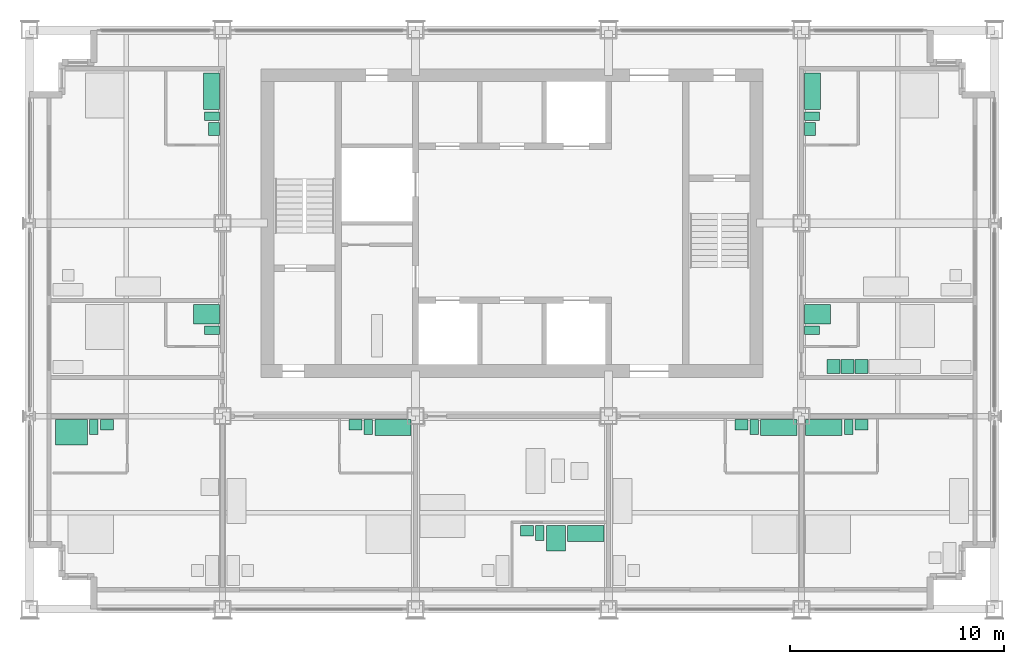
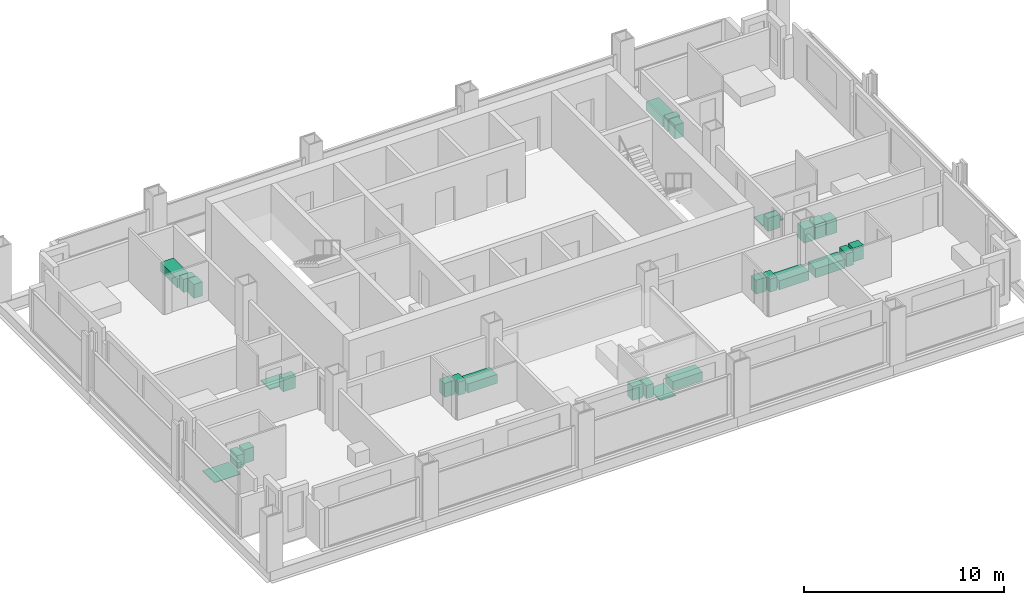
# One storey, part 12 of 13: 26 sanitary terminals, 3 electric appliances.
"""IFC4 building model written with IfcOpenShell, lengths in metres."""

from ifc_helpers import new_model, si_unit, direction, frame, origin, origin_2d, place, context, subcontext, project, spatial, rectangle, extrude, element, save


model = new_model("IFC4")

# Units and contexts
model_context = context("Model", 3, precision=1e-05, world=origin(), true_north=direction((0.0, 1.0)))
body_context = subcontext(model_context, "Body", "Model", "MODEL_VIEW")
ifc_project = project(units=[si_unit("LENGTHUNIT", "METRE"), si_unit("AREAUNIT", "SQUARE_METRE"), si_unit("VOLUMEUNIT", "CUBIC_METRE"), si_unit("PLANEANGLEUNIT", "RADIAN"), si_unit("MASSUNIT", "GRAM", prefix="KILO")], contexts=[model_context])

# Site, building, storey
site_placement = place(None, origin())
site = spatial("IfcSite", under=ifc_project, at=site_placement, CompositionType="ELEMENT")
building_placement = place(site_placement, origin())
building = spatial("IfcBuilding", under=site, at=building_placement, Name="Loomwork Tower", CompositionType="ELEMENT")
storey_placement = place(building_placement, frame((0.0, 0.0, 177.39990234375)))
storey = spatial("IfcBuildingStorey", under=building, at=storey_placement, Name="L48", CompositionType="ELEMENT", Elevation=177.39990234375)

# Sanitary terminals
sanitary_terminal_1_placement = place(storey_placement, frame((1.949951171875, 8.25, 0.0), z_axis=(0.0, 0.0, 1.0), x_axis=(1.0, 0.0, 0.0)))
element("IfcSanitaryTerminal", 1, at=sanitary_terminal_1_placement, inside=storey, Name="Roll-in shower floor L48", PredefinedType="SHOWER", context=body_context, shape_type="SweptSolid", body=[
    extrude(rectangle(XDim=1.5, YDim=1.199951171875, at=origin_2d()), origin(), (0.0, 0.0, 1.0), 0.030029296875),
])
sanitary_terminal_2_placement = place(storey_placement, frame((3.0, 8.5, 0.0), z_axis=(0.0, 0.0, 1.0), x_axis=(1.0, 0.0, 0.0)))
element("IfcSanitaryTerminal", 2, at=sanitary_terminal_2_placement, inside=storey, Name="WC L48", PredefinedType="TOILETPAN", context=body_context, shape_type="SweptSolid", body=[
    extrude(rectangle(XDim=0.39990234375, YDim=0.699951171875, at=origin_2d()), origin(), (0.0, 0.0, 1.0), 0.800048828125),
])
sanitary_terminal_3_placement = place(storey_placement, frame((3.60009765625, 8.60009765625, 0.0), z_axis=(0.0, 0.0, 1.0), x_axis=(1.0, 0.0, 0.0)))
element("IfcSanitaryTerminal", 3, at=sanitary_terminal_3_placement, inside=storey, Name="Basin vanity L48", PredefinedType="WASHHANDBASIN", context=body_context, shape_type="SweptSolid", body=[
    extrude(rectangle(XDim=0.60009765625, YDim=0.5, at=origin_2d()), origin(), (0.0, 0.0, 1.0), 0.85009765625),
])
sanitary_terminal_4_placement = place(storey_placement, frame((16.949951171875, 8.47509765625, 0.0), z_axis=(0.0, 0.0, 1.0), x_axis=(1.0, 0.0, 0.0)))
element("IfcSanitaryTerminal", 4, at=sanitary_terminal_4_placement, inside=storey, Name="Bath L48", PredefinedType="BATH", context=body_context, shape_type="SweptSolid", body=[
    extrude(rectangle(XDim=1.699951171875, YDim=0.75, at=origin_2d()), origin(), (0.0, 0.0, 1.0), 0.550048828125),
])
sanitary_terminal_5_placement = place(storey_placement, frame((15.800048828125, 8.5, 0.0), z_axis=(0.0, 0.0, 1.0), x_axis=(1.0, 0.0, 0.0)))
element("IfcSanitaryTerminal", 5, at=sanitary_terminal_5_placement, inside=storey, Name="WC L48", PredefinedType="TOILETPAN", context=body_context, shape_type="SweptSolid", body=[
    extrude(rectangle(XDim=0.39990234375, YDim=0.699951171875, at=origin_2d()), origin(), (0.0, 0.0, 1.0), 0.800048828125),
])
sanitary_terminal_6_placement = place(storey_placement, frame((15.199951171875, 8.60009765625, 0.0), z_axis=(0.0, 0.0, 1.0), x_axis=(1.0, 0.0, 0.0)))
element("IfcSanitaryTerminal", 6, at=sanitary_terminal_6_placement, inside=storey, Name="Basin vanity L48", PredefinedType="WASHHANDBASIN", context=body_context, shape_type="SweptSolid", body=[
    extrude(rectangle(XDim=0.60009765625, YDim=0.5, at=origin_2d()), origin(), (0.0, 0.0, 1.0), 0.85009765625),
])
sanitary_terminal_7_placement = place(storey_placement, frame((25.949951171875, 3.52490234375, 0.0), z_axis=(0.0, 0.0, 1.0), x_axis=(1.0, 0.0, 0.0)))
element("IfcSanitaryTerminal", 7, at=sanitary_terminal_7_placement, inside=storey, Name="Bath L48", PredefinedType="BATH", context=body_context, shape_type="SweptSolid", body=[
    extrude(rectangle(XDim=1.699951171875, YDim=0.75, at=origin_2d()), origin(), (0.0, 0.0, 1.0), 0.550048828125),
])
sanitary_terminal_8_placement = place(storey_placement, frame((24.550048828125, 3.300048828125, 0.0), z_axis=(0.0, 0.0, 1.0), x_axis=(1.0, 0.0, 0.0)))
element("IfcSanitaryTerminal", 8, at=sanitary_terminal_8_placement, inside=storey, Name="Shower tray L48", PredefinedType="SHOWER", context=body_context, shape_type="SweptSolid", body=[
    extrude(rectangle(XDim=0.89990234375, YDim=1.199951171875, at=origin_2d()), origin(), (0.0, 0.0, 1.0), 0.050048828125),
])
sanitary_terminal_9_placement = place(storey_placement, frame((23.800048828125, 3.550048828125, 0.0), z_axis=(0.0, 0.0, 1.0), x_axis=(1.0, 0.0, 0.0)))
element("IfcSanitaryTerminal", 9, at=sanitary_terminal_9_placement, inside=storey, Name="WC L48", PredefinedType="TOILETPAN", context=body_context, shape_type="SweptSolid", body=[
    extrude(rectangle(XDim=0.39990234375, YDim=0.699951171875, at=origin_2d()), origin(), (0.0, 0.0, 1.0), 0.800048828125),
])
sanitary_terminal_10_placement = place(storey_placement, frame((23.199951171875, 3.64990234375, 0.0), z_axis=(0.0, 0.0, 1.0), x_axis=(1.0, 0.0, 0.0)))
element("IfcSanitaryTerminal", 10, at=sanitary_terminal_10_placement, inside=storey, Name="Basin vanity L48", PredefinedType="WASHHANDBASIN", context=body_context, shape_type="SweptSolid", body=[
    extrude(rectangle(XDim=0.60009765625, YDim=0.5, at=origin_2d()), origin(), (0.0, 0.0, 1.0), 0.85009765625),
])
sanitary_terminal_11_placement = place(storey_placement, frame((34.949951171875, 8.47509765625, 0.0), z_axis=(0.0, 0.0, 1.0), x_axis=(1.0, 0.0, 0.0)))
element("IfcSanitaryTerminal", 11, at=sanitary_terminal_11_placement, inside=storey, Name="Bath L48", PredefinedType="BATH", context=body_context, shape_type="SweptSolid", body=[
    extrude(rectangle(XDim=1.699951171875, YDim=0.75, at=origin_2d()), origin(), (0.0, 0.0, 1.0), 0.550048828125),
])
sanitary_terminal_12_placement = place(storey_placement, frame((33.800048828125, 8.5, 0.0), z_axis=(0.0, 0.0, 1.0), x_axis=(1.0, 0.0, 0.0)))
element("IfcSanitaryTerminal", 12, at=sanitary_terminal_12_placement, inside=storey, Name="WC L48", PredefinedType="TOILETPAN", context=body_context, shape_type="SweptSolid", body=[
    extrude(rectangle(XDim=0.39990234375, YDim=0.699951171875, at=origin_2d()), origin(), (0.0, 0.0, 1.0), 0.800048828125),
])
sanitary_terminal_13_placement = place(storey_placement, frame((33.199951171875, 8.60009765625, 0.0), z_axis=(0.0, 0.0, 1.0), x_axis=(1.0, 0.0, 0.0)))
element("IfcSanitaryTerminal", 13, at=sanitary_terminal_13_placement, inside=storey, Name="Basin vanity L48", PredefinedType="WASHHANDBASIN", context=body_context, shape_type="SweptSolid", body=[
    extrude(rectangle(XDim=0.60009765625, YDim=0.5, at=origin_2d()), origin(), (0.0, 0.0, 1.0), 0.85009765625),
])
sanitary_terminal_14_placement = place(storey_placement, frame((37.050048828125, 8.47509765625, 0.0), z_axis=(0.0, 0.0, 1.0), x_axis=(1.0, 0.0, 0.0)))
element("IfcSanitaryTerminal", 14, at=sanitary_terminal_14_placement, inside=storey, Name="Bath L48", PredefinedType="BATH", context=body_context, shape_type="SweptSolid", body=[
    extrude(rectangle(XDim=1.699951171875, YDim=0.75, at=origin_2d()), origin(), (0.0, 0.0, 1.0), 0.550048828125),
])
sanitary_terminal_15_placement = place(storey_placement, frame((38.199951171875, 8.5, 0.0), z_axis=(0.0, 0.0, 1.0), x_axis=(1.0, 0.0, 0.0)))
element("IfcSanitaryTerminal", 15, at=sanitary_terminal_15_placement, inside=storey, Name="WC L48", PredefinedType="TOILETPAN", context=body_context, shape_type="SweptSolid", body=[
    extrude(rectangle(XDim=0.39990234375, YDim=0.699951171875, at=origin_2d()), origin(), (0.0, 0.0, 1.0), 0.800048828125),
])
sanitary_terminal_16_placement = place(storey_placement, frame((38.800048828125, 8.60009765625, 0.0), z_axis=(0.0, 0.0, 1.0), x_axis=(1.0, 0.0, 0.0)))
element("IfcSanitaryTerminal", 16, at=sanitary_terminal_16_placement, inside=storey, Name="Basin vanity L48", PredefinedType="WASHHANDBASIN", context=body_context, shape_type="SweptSolid", body=[
    extrude(rectangle(XDim=0.60009765625, YDim=0.5, at=origin_2d()), origin(), (0.0, 0.0, 1.0), 0.85009765625),
])
sanitary_terminal_17_placement = place(storey_placement, frame((8.25, 13.75, 0.0), z_axis=(0.0, 0.0, 1.0), x_axis=(1.0, 0.0, 0.0)))
element("IfcSanitaryTerminal", 17, at=sanitary_terminal_17_placement, inside=storey, Name="Shower tray L48", PredefinedType="SHOWER", context=body_context, shape_type="SweptSolid", body=[
    extrude(rectangle(XDim=1.199951171875, YDim=0.89990234375, at=origin_2d()), origin(), (0.0, 0.0, 1.0), 0.050048828125),
])
sanitary_terminal_18_placement = place(storey_placement, frame((8.5, 13.0, 0.0), z_axis=(0.0, 0.0, 1.0), x_axis=(1.0, 0.0, 0.0)))
element("IfcSanitaryTerminal", 18, at=sanitary_terminal_18_placement, inside=storey, Name="WC L48", PredefinedType="TOILETPAN", context=body_context, shape_type="SweptSolid", body=[
    extrude(rectangle(XDim=0.699951171875, YDim=0.39990234375, at=origin_2d()), origin(), (0.0, 0.0, 1.0), 0.800048828125),
])
sanitary_terminal_19_placement = place(storey_placement, frame((8.47509765625, 24.14990234375, 0.0), z_axis=(0.0, 0.0, 1.0), x_axis=(1.0, 0.0, 0.0)))
element("IfcSanitaryTerminal", 19, at=sanitary_terminal_19_placement, inside=storey, Name="Bath L48", PredefinedType="BATH", context=body_context, shape_type="SweptSolid", body=[
    extrude(rectangle(XDim=0.75, YDim=1.699951171875, at=origin_2d()), origin(), (0.0, 0.0, 1.0), 0.550048828125),
])
sanitary_terminal_20_placement = place(storey_placement, frame((8.5, 23.0, 0.0), z_axis=(0.0, 0.0, 1.0), x_axis=(1.0, 0.0, 0.0)))
element("IfcSanitaryTerminal", 20, at=sanitary_terminal_20_placement, inside=storey, Name="WC L48", PredefinedType="TOILETPAN", context=body_context, shape_type="SweptSolid", body=[
    extrude(rectangle(XDim=0.699951171875, YDim=0.39990234375, at=origin_2d()), origin(), (0.0, 0.0, 1.0), 0.800048828125),
])
sanitary_terminal_21_placement = place(storey_placement, frame((8.60009765625, 22.39990234375, 0.0), z_axis=(0.0, 0.0, 1.0), x_axis=(1.0, 0.0, 0.0)))
element("IfcSanitaryTerminal", 21, at=sanitary_terminal_21_placement, inside=storey, Name="Basin vanity L48", PredefinedType="WASHHANDBASIN", context=body_context, shape_type="SweptSolid", body=[
    extrude(rectangle(XDim=0.5, YDim=0.60009765625, at=origin_2d()), origin(), (0.0, 0.0, 1.0), 0.85009765625),
])
sanitary_terminal_22_placement = place(storey_placement, frame((36.75, 13.75, 0.0), z_axis=(0.0, 0.0, 1.0), x_axis=(1.0, 0.0, 0.0)))
element("IfcSanitaryTerminal", 22, at=sanitary_terminal_22_placement, inside=storey, Name="Shower tray L48", PredefinedType="SHOWER", context=body_context, shape_type="SweptSolid", body=[
    extrude(rectangle(XDim=1.199951171875, YDim=0.89990234375, at=origin_2d()), origin(), (0.0, 0.0, 1.0), 0.050048828125),
])
sanitary_terminal_23_placement = place(storey_placement, frame((36.5, 13.0, 0.0), z_axis=(0.0, 0.0, 1.0), x_axis=(1.0, 0.0, 0.0)))
element("IfcSanitaryTerminal", 23, at=sanitary_terminal_23_placement, inside=storey, Name="WC L48", PredefinedType="TOILETPAN", context=body_context, shape_type="SweptSolid", body=[
    extrude(rectangle(XDim=0.699951171875, YDim=0.39990234375, at=origin_2d()), origin(), (0.0, 0.0, 1.0), 0.800048828125),
])

# Electric appliances
electric_appliance_1_placement = place(storey_placement, frame((37.5, 11.324951171875, 0.0), z_axis=(0.0, 0.0, 1.0), x_axis=(1.0, 0.0, 0.0)))
element("IfcElectricAppliance", 24, at=electric_appliance_1_placement, inside=storey, Name="Refrigerator L48", PredefinedType="REFRIGERATOR", context=body_context, shape_type="SweptSolid", body=[
    extrude(rectangle(XDim=0.60009765625, YDim=0.64990234375, at=origin_2d()), origin(), (0.0, 0.0, 1.0), 0.85009765625),
])
electric_appliance_2_placement = place(storey_placement, frame((38.14990234375, 11.324951171875, 0.000244140625), z_axis=(0.0, 0.0, 1.0), x_axis=(1.0, 0.0, 0.0)))
element("IfcElectricAppliance", 25, at=electric_appliance_2_placement, inside=storey, Name="Two-ring cooktop and oven L48", PredefinedType="ELECTRICCOOKER", context=body_context, shape_type="SweptSolid", body=[
    extrude(rectangle(XDim=0.60009765625, YDim=0.64990234375, at=origin_2d()), origin(), (0.0, 0.0, 1.0), 0.89990234375),
])
electric_appliance_3_placement = place(storey_placement, frame((38.800048828125, 11.324951171875, 0.0), z_axis=(0.0, 0.0, 1.0), x_axis=(1.0, 0.0, 0.0)))
element("IfcElectricAppliance", 26, at=electric_appliance_3_placement, inside=storey, Name="Dishwasher L48", PredefinedType="DISHWASHER", context=body_context, shape_type="SweptSolid", body=[
    extrude(rectangle(XDim=0.60009765625, YDim=0.64990234375, at=origin_2d()), origin(), (0.0, 0.0, 1.0), 0.85009765625),
])

# Sanitary terminals
sanitary_terminal_24_placement = place(storey_placement, frame((36.52490234375, 24.14990234375, 0.0), z_axis=(0.0, 0.0, 1.0), x_axis=(1.0, 0.0, 0.0)))
element("IfcSanitaryTerminal", 27, at=sanitary_terminal_24_placement, inside=storey, Name="Bath L48", PredefinedType="BATH", context=body_context, shape_type="SweptSolid", body=[
    extrude(rectangle(XDim=0.75, YDim=1.699951171875, at=origin_2d()), origin(), (0.0, 0.0, 1.0), 0.550048828125),
])
sanitary_terminal_25_placement = place(storey_placement, frame((36.5, 23.0, 0.0), z_axis=(0.0, 0.0, 1.0), x_axis=(1.0, 0.0, 0.0)))
element("IfcSanitaryTerminal", 28, at=sanitary_terminal_25_placement, inside=storey, Name="WC L48", PredefinedType="TOILETPAN", context=body_context, shape_type="SweptSolid", body=[
    extrude(rectangle(XDim=0.699951171875, YDim=0.39990234375, at=origin_2d()), origin(), (0.0, 0.0, 1.0), 0.800048828125),
])
sanitary_terminal_26_placement = place(storey_placement, frame((36.39990234375, 22.39990234375, 0.0), z_axis=(0.0, 0.0, 1.0), x_axis=(1.0, 0.0, 0.0)))
element("IfcSanitaryTerminal", 29, at=sanitary_terminal_26_placement, inside=storey, Name="Basin vanity L48", PredefinedType="WASHHANDBASIN", context=body_context, shape_type="SweptSolid", body=[
    extrude(rectangle(XDim=0.5, YDim=0.60009765625, at=origin_2d()), origin(), (0.0, 0.0, 1.0), 0.85009765625),
])

save(model, "model.ifc")
